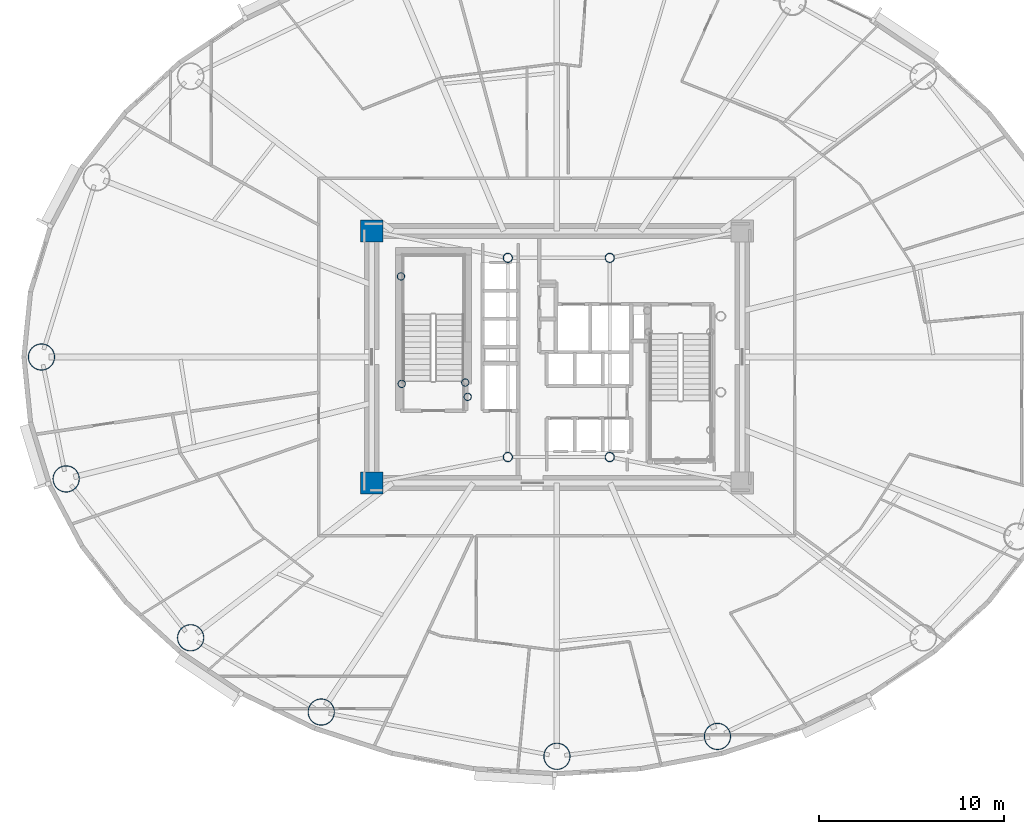
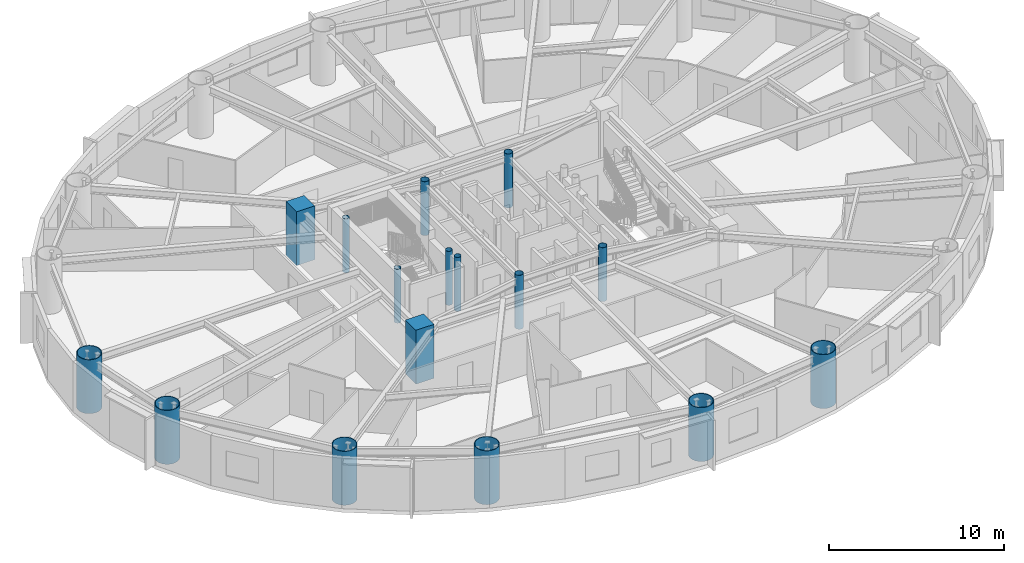
# One storey, part 1 of 16: 16 columns.
"""IFC4 building model written with IfcOpenShell, lengths in metres."""

from ifc_helpers import new_model, si_unit, direction, frame, origin, origin_2d, place, context, subcontext, project, spatial, rectangle, hollow_circle, extrude, material, material_profile, profile_set, type_object, element, save


model = new_model("IFC4")

# Units and contexts
model_context = context("Model", 3, precision=1e-05, world=origin(), true_north=direction((0.0, 1.0)))
body_context = subcontext(model_context, "Body", "Model", "MODEL_VIEW")
ifc_project = project(units=[si_unit("LENGTHUNIT", "METRE"), si_unit("AREAUNIT", "SQUARE_METRE"), si_unit("VOLUMEUNIT", "CUBIC_METRE"), si_unit("PLANEANGLEUNIT", "RADIAN"), si_unit("MASSUNIT", "GRAM", prefix="KILO")], contexts=[model_context])

# Site, building, storey
site_placement = place(None, origin())
site = spatial("IfcSite", under=ifc_project, at=site_placement, CompositionType="ELEMENT")
building_placement = place(site_placement, origin())
building = spatial("IfcBuilding", under=site, at=building_placement, Name="Linh Dai School and Residence Tower", CompositionType="ELEMENT")
storey_placement = place(building_placement, frame((0.0, 0.0, 138.449951171875)))
storey = spatial("IfcBuildingStorey", under=building, at=storey_placement, Name="L33", CompositionType="ELEMENT", Elevation=138.449951171875)

# Columns
ifc_material_1 = material(Name="Concrete B60 (C50/60)", Category="concrete")
ifc_material_profile_1 = material_profile(ifc_material_1, rectangle(XDim=1.199951171875, YDim=1.199951171875, at=origin_2d()), Name="RC 1200x1200")
ifc_profile_set_1 = profile_set([ifc_material_profile_1], Name="Concrete B60 (C50/60)")
column_type_1 = type_object("IfcColumnType", Name="COL-CC2", PredefinedType="COLUMN", material=ifc_profile_set_1)
for number, where, z_axis, x_axis, name in (
    (1, (26.0, 20.199951171875, 0.0), (0.0, 0.0, 1.0), (1.0, 0.0, 0.0), "L33 Core Corner Pier CC1"),
    (2, (26.0, 33.800048828125, 0.0), (0.0, 0.0, 1.0), (1.0, 0.0, 0.0), "L33 Core Corner Pier CC4"),
):
    element("IfcColumn", number, at=place(storey_placement, frame(where, z_axis=z_axis, x_axis=x_axis)), inside=storey, type_object=column_type_1, Name=name, PredefinedType="COLUMN", context=body_context, shape_type="SweptSolid", body=[
        extrude(rectangle(XDim=1.199951171875, YDim=1.199951171875, at=origin_2d()), origin(), (0.0, 0.0, 1.0), 3.75),
    ])
ifc_material_2 = material(Name="Structural Steel S355JR", Category="steel")
ifc_material_profile_2 = material_profile(ifc_material_2, hollow_circle(Radius=0.203125, WallThickness=0.01611328125, at=origin_2d()), Name="CHS 406.4x16")
ifc_profile_set_2 = profile_set([ifc_material_profile_2], Name="Structural Steel S355JR")
column_type_2 = type_object("IfcColumnType", Name="COL-EC", PredefinedType="COLUMN", material=ifc_profile_set_2)
for number, where, z_axis, x_axis, name in (
    (3, (27.580078125, 31.35009765625, 0.0), (0.0, 0.0, 1.0), (1.0, 0.0, 0.0), "L33 Stair Shaft Landing Support Pier ST1NW"),
    (4, (31.050048828125, 25.6201171875, 0.0), (0.0, 0.0, 1.0), (1.0, 0.0, 0.0), "L33 Stair Shaft Landing Support Pier ST1SE"),
    (5, (31.179931640625, 24.85009765625, 0.0), (0.0, 0.0, 1.0), (1.0, 0.0, 0.0), "L33 Stair Shaft Landing Support Pier ST1SM"),
    (6, (27.6201171875, 25.550048828125, 0.0), (0.0, 0.0, 1.0), (1.0, 0.0, 0.0), "L33 Stair Shaft Landing Support Pier ST1SW"),
):
    element("IfcColumn", number, at=place(storey_placement, frame(where, z_axis=z_axis, x_axis=x_axis)), inside=storey, type_object=column_type_2, Name=name, PredefinedType="COLUMN", context=body_context, shape_type="SweptSolid", body=[
        extrude(hollow_circle(Radius=0.203125, WallThickness=0.01611328125, at=origin_2d()), origin(), (0.0, 0.0, 1.0), 3.75),
    ])
ifc_material_profile_3 = material_profile(ifc_material_2, hollow_circle(Radius=0.72509765625, WallThickness=0.0419921875, at=origin_2d()), Name="CHS 1450x42")
ifc_profile_set_3 = profile_set([ifc_material_profile_3], Name="Structural Steel S355JR")
column_type_3 = type_object("IfcColumnType", Name="COL-MC3", PredefinedType="COLUMN", material=ifc_profile_set_3)
for number, where, z_axis, x_axis, name in (
    (7, (8.175048828125, 27.0, 0.0), (0.0, 0.0, 1.0), (1.0, 0.0, 0.0), "L33 Perimeter CFT Mega-Column MC09"),
    (8, (9.50732421875, 20.4189453125, 0.0), (0.0, 0.0, 1.0), (1.0, 0.0, 0.0), "L33 Perimeter CFT Mega-Column MC10"),
    (9, (16.227294921875, 11.844482421875, 0.0), (0.0, 0.0, 1.0), (1.0, 0.0, 0.0), "L33 Perimeter CFT Mega-Column MC11"),
    (10, (23.278076171875, 7.8349609375, 0.0), (0.0, 0.0, 1.0), (1.0, 0.0, 0.0), "L33 Perimeter CFT Mega-Column MC12"),
    (11, (36.0, 5.445068359375, 0.0), (0.0, 0.0, 1.0), (1.0, 0.0, 0.0), "L33 Perimeter CFT Mega-Column MC13"),
    (12, (44.66552734375, 6.519287109375, 0.0), (0.0, 0.0, 1.0), (1.0, 0.0, 0.0), "L33 Perimeter CFT Mega-Column MC14"),
):
    element("IfcColumn", number, at=place(storey_placement, frame(where, z_axis=z_axis, x_axis=x_axis)), inside=storey, type_object=column_type_3, Name=name, PredefinedType="COLUMN", context=body_context, shape_type="SweptSolid", body=[
        extrude(hollow_circle(Radius=0.72509765625, WallThickness=0.0419921875, at=origin_2d()), origin(), (0.0, 0.0, 1.0), 3.75),
    ])
ifc_material_profile_4 = material_profile(ifc_material_2, hollow_circle(Radius=0.25390625, WallThickness=0.02001953125, at=origin_2d()), Name="CHS 508x20")
ifc_profile_set_4 = profile_set([ifc_material_profile_4], Name="Structural Steel S355JR")
column_type_4 = type_object("IfcColumnType", Name="COL-MCP", PredefinedType="COLUMN", material=ifc_profile_set_4)
for number, where, z_axis, x_axis, name in (
    (13, (33.35009765625, 21.60009765625, 0.0), (0.0, 0.0, 1.0), (1.0, 0.0, 0.0), "L33 Core Mast Support Pier MCP1"),
    (14, (38.85009765625, 21.60009765625, 0.0), (0.0, 0.0, 1.0), (1.0, 0.0, 0.0), "L33 Core Mast Support Pier MCP2"),
    (15, (38.85009765625, 32.35009765625, 0.0), (0.0, 0.0, 1.0), (1.0, 0.0, 0.0), "L33 Core Mast Support Pier MCP3"),
    (16, (33.35009765625, 32.35009765625, 0.0), (0.0, 0.0, 1.0), (1.0, 0.0, 0.0), "L33 Core Mast Support Pier MCP4"),
):
    element("IfcColumn", number, at=place(storey_placement, frame(where, z_axis=z_axis, x_axis=x_axis)), inside=storey, type_object=column_type_4, Name=name, PredefinedType="COLUMN", context=body_context, shape_type="SweptSolid", body=[
        extrude(hollow_circle(Radius=0.25390625, WallThickness=0.02001953125, at=origin_2d()), origin(), (0.0, 0.0, 1.0), 3.75),
    ])

save(model, "model.ifc")
